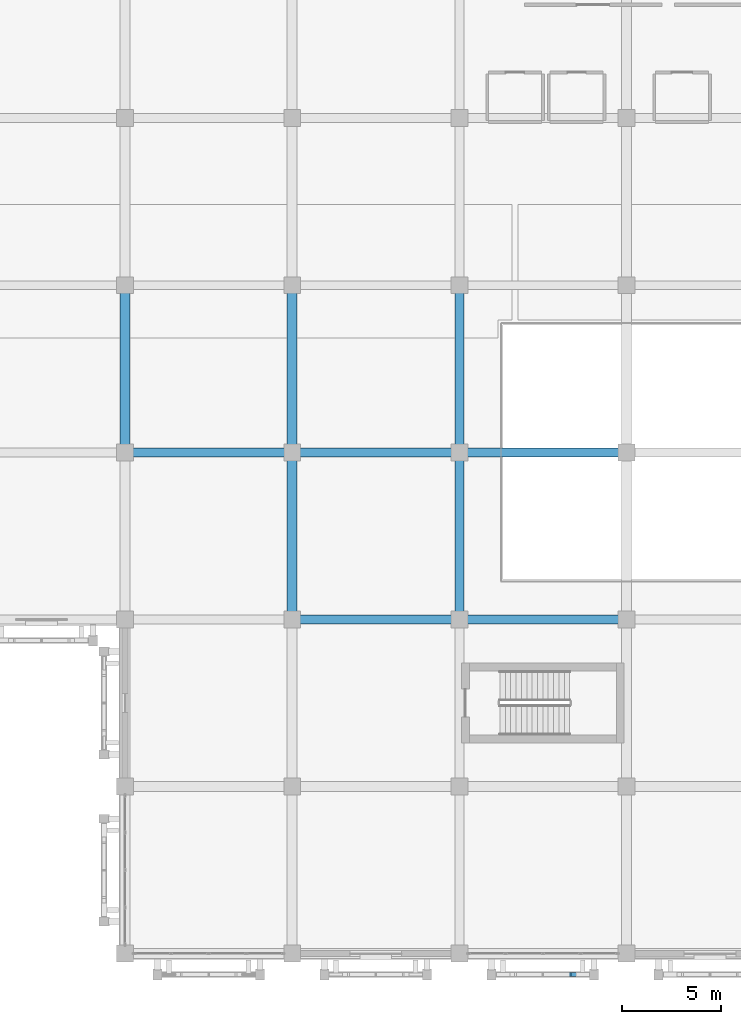
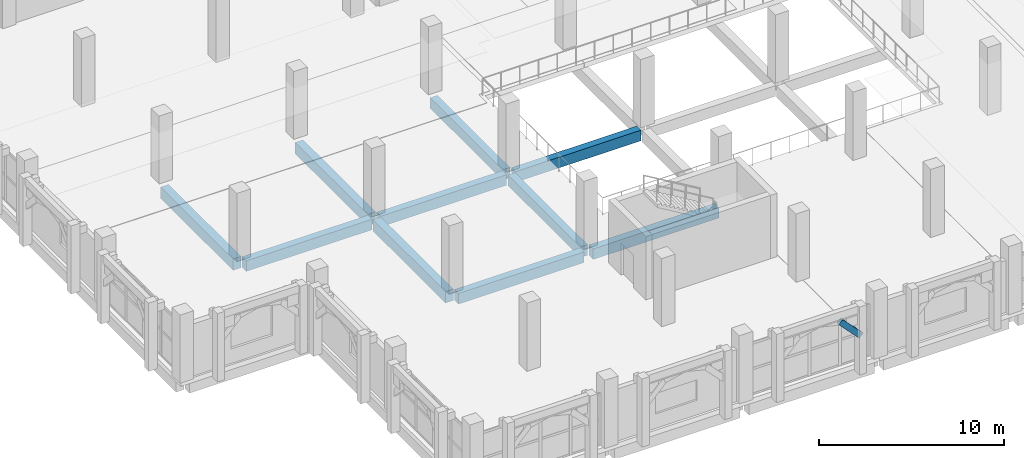
# One storey, part 11 of 137: 10 beams, 1 member.
"""IFC4 building model written with IfcOpenShell, lengths in metres."""

from ifc_helpers import new_model, si_unit, direction, frame, origin, origin_2d, place, context, subcontext, project, spatial, rectangle, extrude, material, material_profile, profile_set, type_object, element, save


model = new_model("IFC4")

# Units and contexts
model_context = context("Model", 3, precision=1e-05, world=origin(), true_north=direction((0.0, 1.0)))
body_context = subcontext(model_context, "Body", "Model", "MODEL_VIEW")
ifc_project = project(units=[si_unit("LENGTHUNIT", "METRE"), si_unit("AREAUNIT", "SQUARE_METRE"), si_unit("VOLUMEUNIT", "CUBIC_METRE"), si_unit("PLANEANGLEUNIT", "RADIAN"), si_unit("MASSUNIT", "GRAM", prefix="KILO")], contexts=[model_context])

# Site, building, storey
site_placement = place(None, origin())
site = spatial("IfcSite", under=ifc_project, at=site_placement, CompositionType="ELEMENT")
building_placement = place(site_placement, origin())
building = spatial("IfcBuilding", under=site, at=building_placement, Name="Xazarin Passage Department Store", CompositionType="ELEMENT")
storey_placement = place(building_placement, frame((0.0, 0.0, 5.39990234375)))
storey = spatial("IfcBuildingStorey", under=building, at=storey_placement, Name="L01", CompositionType="ELEMENT", Elevation=5.39990234375)

# Beams
ifc_material_1 = material(Name="Concrete C35/45", Category="concrete")
ifc_material_profile_1 = material_profile(ifc_material_1, rectangle(XDim=0.449951171875, YDim=0.699951171875, at=origin_2d()), Name="RC 450x700")
ifc_profile_set_1 = profile_set([ifc_material_profile_1], Name="Concrete C35/45")
beam_type_1 = type_object("IfcBeamType", Name="STR-BM-G450x700", PredefinedType="BEAM", material=ifc_profile_set_1)
beam_1_placement = place(storey_placement, frame((17.080078125, 16.800048828125, -0.669921875), z_axis=(1.0, 0.0, 0.0), x_axis=(0.0, 1.0, 0.0)))
element("IfcBeam", 1, at=beam_1_placement, inside=storey, type_object=beam_type_1, Name="L01 Grid Beam C/3-4", PredefinedType="BEAM", context=body_context, shape_type="SweptSolid", body=[
    extrude(rectangle(XDim=0.449951171875, YDim=0.699951171875, at=origin_2d()), origin(), (0.0, 0.0, 1.0), 7.83984375),
])
for number, where, z_axis, x_axis, name in (
    (2, (25.47998046875, 16.800048828125, -0.669921875), (1.0, 0.0, 0.0), (0.0, 1.0, 0.0), "L01 Grid Beam C/4-5"),
    (3, (8.679931640625, 25.199951171875, -0.669921875), (1.0, 0.0, 0.0), (0.0, 1.0, 0.0), "L01 Grid Beam D/2-3"),
):
    element("IfcBeam", number, at=place(storey_placement, frame(where, z_axis=z_axis, x_axis=x_axis)), inside=storey, type_object=beam_type_1, Name=name, PredefinedType="BEAM", context=body_context, shape_type="SweptSolid", body=[
        extrude(rectangle(XDim=0.449951171875, YDim=0.699951171875, at=origin_2d()), origin(), (0.0, 0.0, 1.0), 7.840087890625),
    ])
beam_2_placement = place(storey_placement, frame((17.080078125, 25.199951171875, -0.669921875), z_axis=(1.0, 0.0, 0.0), x_axis=(0.0, 1.0, 0.0)))
element("IfcBeam", 4, at=beam_2_placement, inside=storey, type_object=beam_type_1, Name="L01 Grid Beam D/3-4", PredefinedType="BEAM", context=body_context, shape_type="SweptSolid", body=[
    extrude(rectangle(XDim=0.449951171875, YDim=0.699951171875, at=origin_2d()), origin(), (0.0, 0.0, 1.0), 7.83984375),
])
beam_3_placement = place(storey_placement, frame((25.47998046875, 25.199951171875, -0.669921875), z_axis=(1.0, 0.0, 0.0), x_axis=(0.0, 1.0, 0.0)))
element("IfcBeam", 5, at=beam_3_placement, inside=storey, type_object=beam_type_1, Name="L01 Grid Beam D/4-5", PredefinedType="BEAM", context=body_context, shape_type="SweptSolid", body=[
    extrude(rectangle(XDim=0.449951171875, YDim=0.699951171875, at=origin_2d()), origin(), (0.0, 0.0, 1.0), 7.840087890625),
])
beam_4_placement = place(storey_placement, frame((25.199951171875, 17.080078125, -0.669921875), z_axis=(0.0, 1.0, 0.0), x_axis=(-1.0, 0.0, 0.0)))
element("IfcBeam", 6, at=beam_4_placement, inside=storey, type_object=beam_type_1, Name="L01 Grid Beam 4/C-D", PredefinedType="BEAM", context=body_context, shape_type="SweptSolid", body=[
    extrude(rectangle(XDim=0.449951171875, YDim=0.699951171875, at=origin_2d()), origin(), (0.0, 0.0, 1.0), 7.83984375),
])
beam_5_placement = place(storey_placement, frame((25.199951171875, 25.47998046875, -0.669921875), z_axis=(0.0, 1.0, 0.0), x_axis=(-1.0, 0.0, 0.0)))
element("IfcBeam", 7, at=beam_5_placement, inside=storey, type_object=beam_type_1, Name="L01 Grid Beam 4/D-E", PredefinedType="BEAM", context=body_context, shape_type="SweptSolid", body=[
    extrude(rectangle(XDim=0.449951171875, YDim=0.699951171875, at=origin_2d()), origin(), (0.0, 0.0, 1.0), 7.840087890625),
])
ifc_material_profile_2 = material_profile(ifc_material_1, rectangle(XDim=0.5, YDim=0.75, at=origin_2d()), Name="RC 500x750")
ifc_profile_set_2 = profile_set([ifc_material_profile_2], Name="Concrete C35/45")
beam_type_2 = type_object("IfcBeamType", Name="STR-BM-SP500x750", PredefinedType="SPANDREL", material=ifc_profile_set_2)
beam_6_placement = place(storey_placement, frame((8.39990234375, 25.47998046875, -0.69482421875), z_axis=(0.0, 1.0, 0.0), x_axis=(-1.0, 0.0, 0.0)))
element("IfcBeam", 8, at=beam_6_placement, inside=storey, type_object=beam_type_2, Name="L01 Grid Beam 2/D-E", PredefinedType="SPANDREL", context=body_context, shape_type="SweptSolid", body=[
    extrude(rectangle(XDim=0.5, YDim=0.75, at=origin_2d()), origin(), (0.0, 0.0, 1.0), 7.840087890625),
])
beam_7_placement = place(storey_placement, frame((16.800048828125, 17.080078125, -0.69482421875), z_axis=(0.0, 1.0, 0.0), x_axis=(-1.0, 0.0, 0.0)))
element("IfcBeam", 9, at=beam_7_placement, inside=storey, type_object=beam_type_2, Name="L01 Grid Beam 3/C-D", PredefinedType="SPANDREL", context=body_context, shape_type="SweptSolid", body=[
    extrude(rectangle(XDim=0.5, YDim=0.75, at=origin_2d()), origin(), (0.0, 0.0, 1.0), 7.83984375),
])
beam_8_placement = place(storey_placement, frame((16.800048828125, 25.47998046875, -0.69482421875), z_axis=(0.0, 1.0, 0.0), x_axis=(-1.0, 0.0, 0.0)))
element("IfcBeam", 10, at=beam_8_placement, inside=storey, type_object=beam_type_2, Name="L01 Grid Beam 3/D-E", PredefinedType="SPANDREL", context=body_context, shape_type="SweptSolid", body=[
    extrude(rectangle(XDim=0.5, YDim=0.75, at=origin_2d()), origin(), (0.0, 0.0, 1.0), 7.840087890625),
])

# Member
ifc_material_2 = material(Name="Concrete C40/50", Category="concrete")
ifc_material_profile_3 = material_profile(ifc_material_2, rectangle(XDim=0.199951171875, YDim=0.360107421875, at=origin_2d()), Name="RC 200x360")
ifc_profile_set_3 = profile_set([ifc_material_profile_3], Name="Concrete C40/50")
member_type = type_object("IfcMemberType", Name="STR-MEM-ARC360", PredefinedType="CHORD", material=ifc_profile_set_3)
member_placement = place(storey_placement, frame((30.68994140625, -1.050048828125, 3.7705078125), z_axis=(0.693460080602, 0.0, -0.720495049679), x_axis=(0.0, 1.0, 0.0)))
element("IfcMember", 11, at=member_placement, inside=storey, type_object=member_type, Name="L01 V3 Pierced Lattice Curved Arch 029.4", PredefinedType="CHORD", context=body_context, shape_type="SweptSolid", body=[
    extrude(rectangle(XDim=0.199951171875, YDim=0.360107421875, at=origin_2d()), origin(), (0.0, 0.0, 1.0), 1.8603515625),
])

save(model, "model.ifc")
